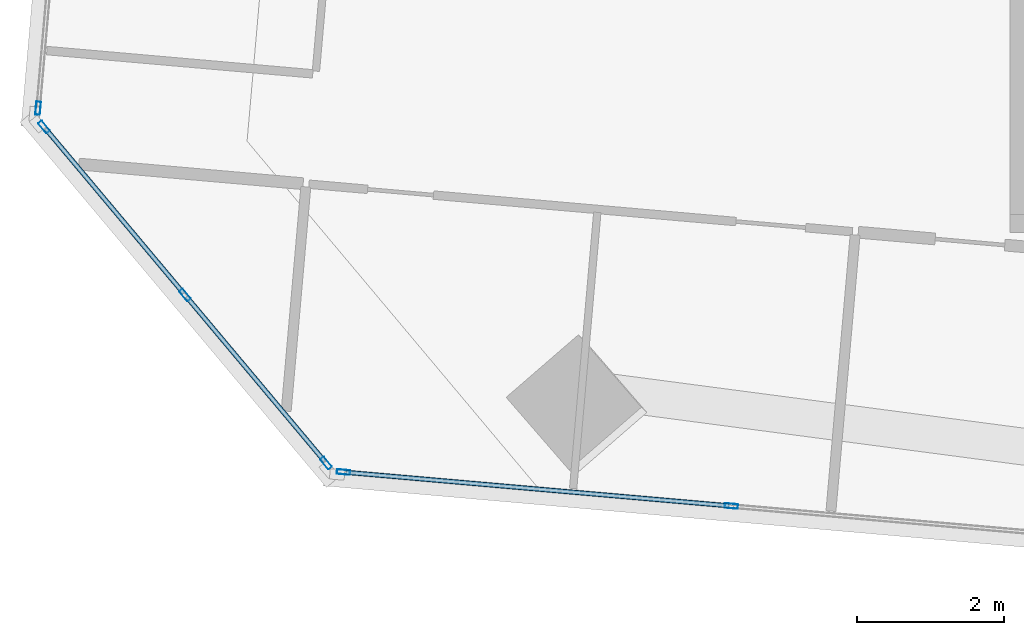
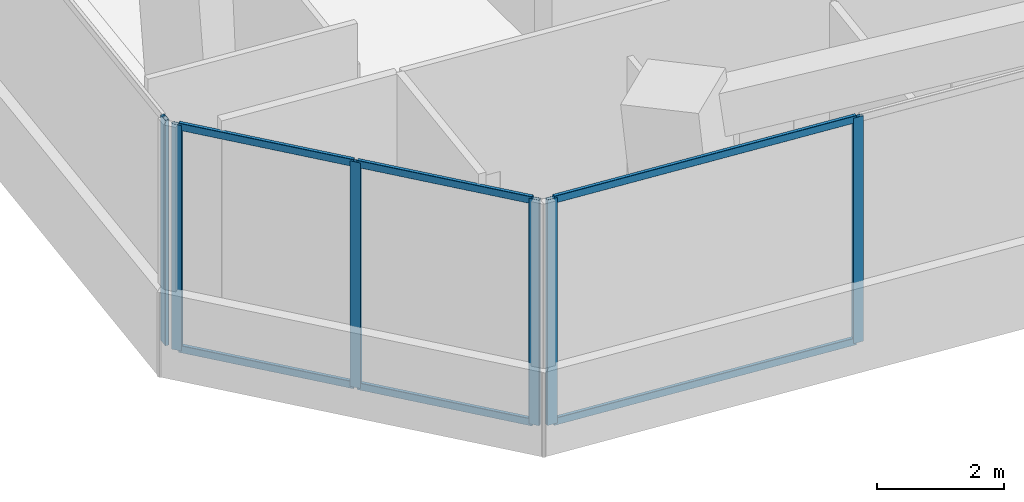
# One storey, part 2 of 23: 12 members, 3 elements without a shape of their own.
"""IFC4 building model written with IfcOpenShell, lengths in metres."""

from ifc_helpers import new_model, si_unit, direction, frame, origin, origin_2d, place, context, subcontext, project, spatial, hollow_rectangle, extrude, source, transform, mapped, material, material_profile, profile_set, type_object, element, aggregate, save


model = new_model("IFC4")

# Units and contexts
model_context = context("Model", 3, precision=1e-05, world=origin(), true_north=direction((0.0, 1.0)))
body_context = subcontext(model_context, "Body", "Model", "MODEL_VIEW")
ifc_project = project(units=[si_unit("LENGTHUNIT", "METRE"), si_unit("AREAUNIT", "SQUARE_METRE"), si_unit("VOLUMEUNIT", "CUBIC_METRE"), si_unit("PLANEANGLEUNIT", "RADIAN"), si_unit("MASSUNIT", "GRAM", prefix="KILO")], contexts=[model_context])

# Site, building, storey
site_placement = place(None, origin())
site = spatial("IfcSite", under=ifc_project, at=site_placement, CompositionType="ELEMENT")
building_placement = place(site_placement, origin())
building = spatial("IfcBuilding", under=site, at=building_placement, Name="Torre Montelarca", CompositionType="ELEMENT")
storey_placement = place(building_placement, frame((0.0, 0.0, 56.800048828125)))
storey = spatial("IfcBuildingStorey", under=building, at=storey_placement, Name="L12", CompositionType="ELEMENT", Elevation=56.800048828125)

# Curtain wall, members
ifc_material_1 = material(Name="Insulated low-E laminated glass", Category="glass")
curtain_wall_type = type_object("IfcCurtainWallType", Name="CW-SYS-Z1", PredefinedType="USERDEFINED", material=ifc_material_1)
curtain_wall_1_placement = place(storey_placement, origin())
curtain_wall_1 = element("IfcCurtainWall", 1, at=curtain_wall_1_placement, inside=storey, type_object=curtain_wall_type, Name="L12 Curtain Wall Run CW-T3-L12-E01-B1", ObjectType="UNITISED GLAZING", PredefinedType="USERDEFINED")
ifc_material_2 = material(Name="Anodised aluminium AA 6063-T6", Category="aluminium")
ifc_material_profile_1 = material_profile(ifc_material_2, hollow_rectangle(XDim=0.06494140625, YDim=0.179931640625, WallThickness=0.00390625, InnerFilletRadius=0.00390625, OuterFilletRadius=0.008056640625, at=origin_2d()), Name="ALU65X180X4", Category="aluminium")
ifc_profile_set_1 = profile_set([ifc_material_profile_1], Name="Anodised aluminium AA 6063-T6")
member_type_1 = type_object("IfcMemberType", Name="CWM-ALU180", PredefinedType="MULLION", material=ifc_profile_set_1)
shared_shape_1 = source(origin(), body_context, "Body", "SweptSolid", [
    extrude(hollow_rectangle(XDim=0.06494140625, YDim=0.179931640625, WallThickness=0.00390625, InnerFilletRadius=0.00390625, OuterFilletRadius=0.008056640625, at=origin_2d()), origin(), (0.0, 0.0, 1.0), 4.320068359375),
])
member_1_placement = place(storey_placement, frame((3.984375, 15.3935546875, 0.0), z_axis=(0.0, 0.0, 1.0), x_axis=(0.08716206145, 0.996194145257, 0.0)))
member_1 = element("IfcMember", 2, at=member_1_placement, type_object=member_type_1, Name="CW mullion 1", PredefinedType="MULLION", context=body_context, shape_type="MappedRepresentation", body=[
    mapped(shared_shape_1, transform((0.0, 0.0, 0.0), scale=1.0)),
])
member_2_placement = place(storey_placement, frame((9.26025390625, 14.931884765625, 0.0), z_axis=(0.0, 0.0, 1.0), x_axis=(0.08716206145, 0.996194145257, 0.0)))
member_2 = element("IfcMember", 3, at=member_2_placement, type_object=member_type_1, Name="CW mullion 2", PredefinedType="MULLION", context=body_context, shape_type="MappedRepresentation", body=[
    mapped(shared_shape_1, transform((0.0, 0.0, 0.0), scale=1.0)),
])

# Curtain wall, member
curtain_wall_2_placement = place(storey_placement, origin())
curtain_wall_2 = element("IfcCurtainWall", 4, at=curtain_wall_2_placement, inside=storey, type_object=curtain_wall_type, Name="L12 Curtain Wall Run CW-T3-L12-E10-B1", ObjectType="UNITISED GLAZING", PredefinedType="USERDEFINED")
member_3_placement = place(storey_placement, frame((-0.16845703125, 20.342529296875, 0.0), z_axis=(0.0, 0.0, 1.0), x_axis=(0.99619413316, -0.087162199711, 0.0)))
member_3 = element("IfcMember", 5, at=member_3_placement, type_object=member_type_1, Name="CW mullion 3", PredefinedType="MULLION", context=body_context, shape_type="MappedRepresentation", body=[
    mapped(shared_shape_1, transform((0.0, 0.0, 0.0), scale=1.0)),
])
aggregate(curtain_wall_2, [member_3])

# Curtain wall, members
curtain_wall_3_placement = place(storey_placement, origin())
curtain_wall_3 = element("IfcCurtainWall", 6, at=curtain_wall_3_placement, inside=storey, type_object=curtain_wall_type, Name="L12 Curtain Wall Run CW-T3-L12-E11-B1", ObjectType="UNITISED GLAZING", PredefinedType="USERDEFINED")
member_4_placement = place(storey_placement, frame((-0.088134765625, 20.087890625, 0.0), z_axis=(0.0, 0.0, 1.0), x_axis=(0.766042761233, 0.642789614074, 0.0)))
member_4 = element("IfcMember", 7, at=member_4_placement, type_object=member_type_1, Name="CW mullion 1", PredefinedType="MULLION", context=body_context, shape_type="MappedRepresentation", body=[
    mapped(shared_shape_1, transform((0.0, 0.0, 0.0), scale=1.0)),
])
member_5_placement = place(storey_placement, frame((1.82958984375, 17.80224609375, 0.0), z_axis=(0.0, 0.0, 1.0), x_axis=(0.766042761233, 0.642789614074, 0.0)))
member_5 = element("IfcMember", 8, at=member_5_placement, type_object=member_type_1, Name="CW mullion 2", PredefinedType="MULLION", context=body_context, shape_type="MappedRepresentation", body=[
    mapped(shared_shape_1, transform((0.0, 0.0, 0.0), scale=1.0)),
])
member_6_placement = place(storey_placement, frame((3.74755859375, 15.5166015625, 0.0), z_axis=(0.0, 0.0, 1.0), x_axis=(0.766042761233, 0.642789614074, 0.0)))
member_6 = element("IfcMember", 9, at=member_6_placement, type_object=member_type_1, Name="CW mullion 3", PredefinedType="MULLION", context=body_context, shape_type="MappedRepresentation", body=[
    mapped(shared_shape_1, transform((0.0, 0.0, 0.0), scale=1.0)),
])
ifc_material_profile_2 = material_profile(ifc_material_2, hollow_rectangle(XDim=0.06494140625, YDim=0.139892578125, WallThickness=0.00390625, InnerFilletRadius=0.00390625, OuterFilletRadius=0.008056640625, at=origin_2d()), Name="ALU65X140X4", Category="aluminium")
ifc_profile_set_2 = profile_set([ifc_material_profile_2], Name="Anodised aluminium AA 6063-T6")
member_type_2 = type_object("IfcMemberType", Name="CWT-ALU140", PredefinedType="USERDEFINED", material=ifc_profile_set_2)
shared_shape_2 = source(origin(), body_context, "Body", "SweptSolid", [
    extrude(hollow_rectangle(XDim=0.06494140625, YDim=0.139892578125, WallThickness=0.00390625, InnerFilletRadius=0.00390625, OuterFilletRadius=0.008056640625, at=origin_2d()), origin(), (0.0, 0.0, 1.0), 2.918701171875),
])
member_7_placement = place(storey_placement, frame((-0.0673828125, 20.06298828125, 0.032470703125), z_axis=(0.642813407314, -0.766022795599, 0.0), x_axis=(0.766022795599, 0.642813407314, 0.0)))
member_7 = element("IfcMember", 10, at=member_7_placement, type_object=member_type_2, Name="CW transom 1.1", ObjectType="TRANSOM", PredefinedType="USERDEFINED", context=body_context, shape_type="MappedRepresentation", body=[
    mapped(shared_shape_2, transform((0.0, 0.0, 0.0), scale=1.0)),
])
member_8_placement = place(storey_placement, frame((-0.0673828125, 20.06298828125, 4.287353515625), z_axis=(0.642813407314, -0.766022795599, 0.0), x_axis=(0.766022795599, 0.642813407314, 0.0)))
member_8 = element("IfcMember", 11, at=member_8_placement, type_object=member_type_2, Name="CW transom 1.2", ObjectType="TRANSOM", PredefinedType="USERDEFINED", context=body_context, shape_type="MappedRepresentation", body=[
    mapped(shared_shape_2, transform((0.0, 0.0, 0.0), scale=1.0)),
])
member_9_placement = place(storey_placement, frame((1.8505859375, 17.77734375, 0.032470703125), z_axis=(0.642764321107, -0.766063983954, 0.0), x_axis=(0.766063983954, 0.642764321107, 0.0)))
member_9 = element("IfcMember", 12, at=member_9_placement, type_object=member_type_2, Name="CW transom 2.1", ObjectType="TRANSOM", PredefinedType="USERDEFINED", context=body_context, shape_type="MappedRepresentation", body=[
    mapped(shared_shape_2, transform((0.0, 0.0, 0.0), scale=1.0)),
])
member_10_placement = place(storey_placement, frame((1.8505859375, 17.77734375, 4.287353515625), z_axis=(0.642764321107, -0.766063983954, 0.0), x_axis=(0.766063983954, 0.642764321107, 0.0)))
member_10 = element("IfcMember", 13, at=member_10_placement, type_object=member_type_2, Name="CW transom 2.2", ObjectType="TRANSOM", PredefinedType="USERDEFINED", context=body_context, shape_type="MappedRepresentation", body=[
    mapped(shared_shape_2, transform((0.0, 0.0, 0.0), scale=1.0)),
])
aggregate(curtain_wall_3, [member_4, member_5, member_6, member_7, member_8, member_9, member_10])

# Member
shared_shape_3 = source(origin(), body_context, "Body", "SweptSolid", [
    extrude(hollow_rectangle(XDim=0.06494140625, YDim=0.139892578125, WallThickness=0.00390625, InnerFilletRadius=0.00390625, OuterFilletRadius=0.008056640625, at=origin_2d()), origin(), (0.0, 0.0, 1.0), 5.231201171875),
])
member_11_placement = place(storey_placement, frame((4.016845703125, 15.390625, 0.032470703125), z_axis=(0.996192450927, -0.087181424143, 0.0), x_axis=(0.087181424143, 0.996192450927, 0.0)))
member_11 = element("IfcMember", 14, at=member_11_placement, type_object=member_type_2, Name="CW transom 1.1", ObjectType="TRANSOM", PredefinedType="USERDEFINED", context=body_context, shape_type="MappedRepresentation", body=[
    mapped(shared_shape_3, transform((0.0, 0.0, 0.0), scale=1.0)),
])

member_12_placement = place(storey_placement, frame((4.016845703125, 15.390625, 4.287353515625), z_axis=(0.996192450927, -0.087181424143, 0.0), x_axis=(0.087181424143, 0.996192450927, 0.0)))
member_12 = element("IfcMember", 15, at=member_12_placement, type_object=member_type_2, Name="CW transom 1.2", ObjectType="TRANSOM", PredefinedType="USERDEFINED", context=body_context, shape_type="MappedRepresentation", body=[
    mapped(shared_shape_3, transform((0.0, 0.0, 0.0), scale=1.0)),
])

aggregate(curtain_wall_1, [member_1, member_2, member_11, member_12])

save(model, "model.ifc")
